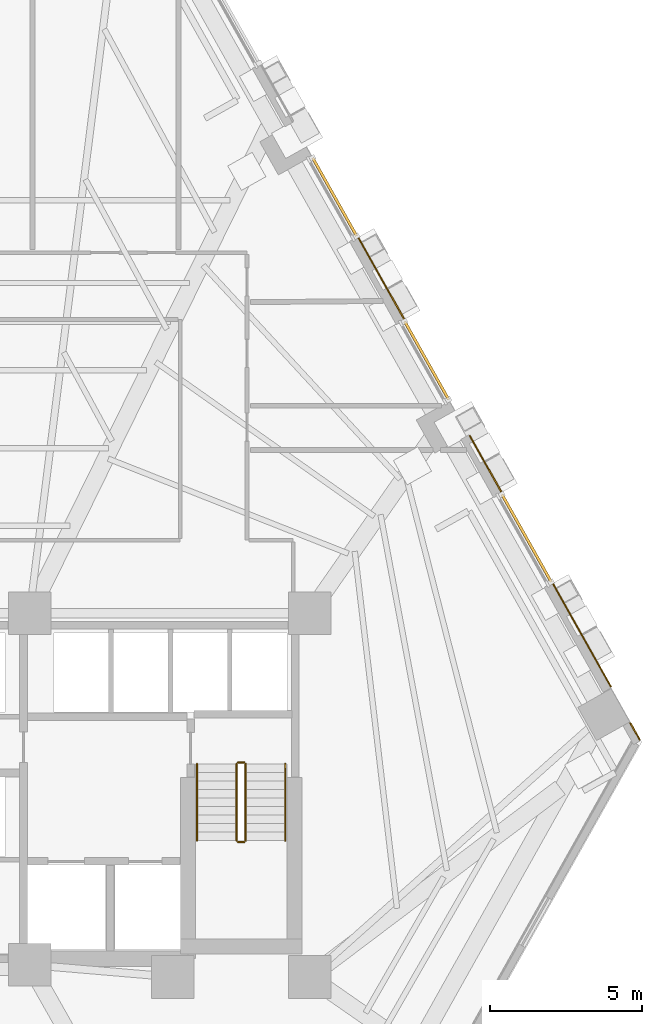
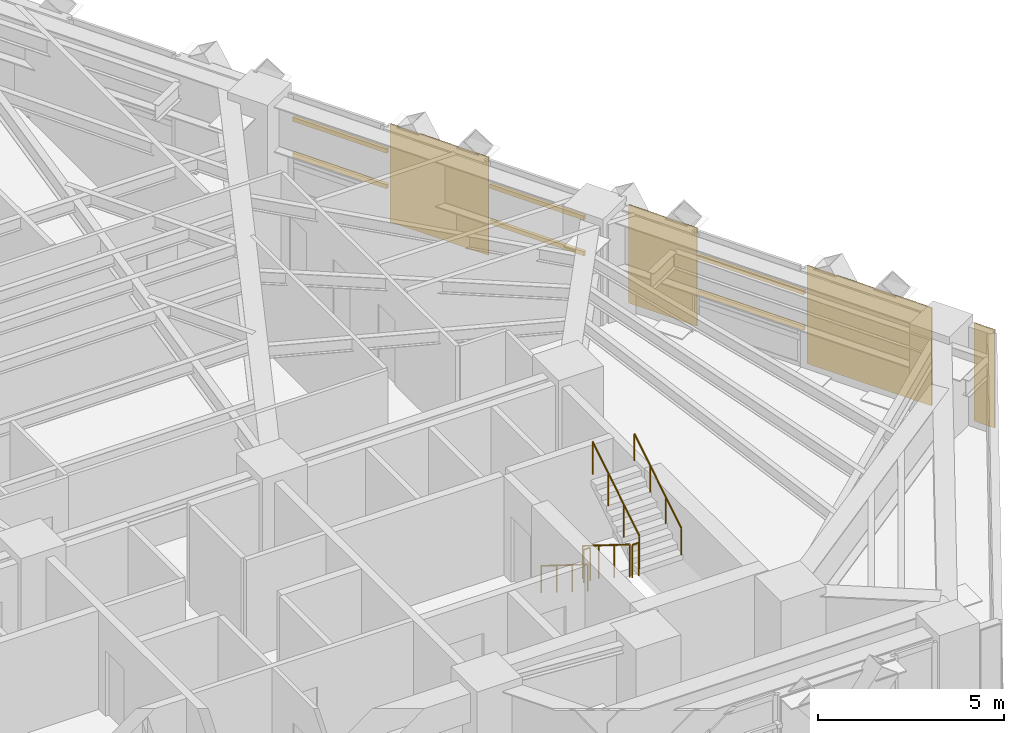
# One storey, part 13 of 14: 6 railings, 6 shading devices, 4 coverings.
"""IFC4 building model written with IfcOpenShell, lengths in metres."""

from ifc_helpers import new_model, si_unit, direction, frame, origin, origin_2d, place, context, subcontext, project, spatial, polyline, rectangle, circle, outline, extrude, material, layer, layer_set, material_profile, profile_set, type_object, element, save


model = new_model("IFC4")

# Units and contexts
model_context = context("Model", 3, precision=1e-05, world=origin(), true_north=direction((0.0, 1.0)))
body_context = subcontext(model_context, "Body", "Model", "MODEL_VIEW")
ifc_project = project(units=[si_unit("LENGTHUNIT", "METRE"), si_unit("AREAUNIT", "SQUARE_METRE"), si_unit("VOLUMEUNIT", "CUBIC_METRE"), si_unit("PLANEANGLEUNIT", "RADIAN"), si_unit("MASSUNIT", "GRAM", prefix="KILO")], contexts=[model_context])

# Site, building, storey
site_placement = place(None, origin())
site = spatial("IfcSite", under=ifc_project, at=site_placement, CompositionType="ELEMENT")
building_placement = place(site_placement, origin())
building = spatial("IfcBuilding", under=site, at=building_placement, Name="Quenlor Broadcast Tower", CompositionType="ELEMENT")
storey_placement = place(building_placement, frame((0.0, 0.0, 73.10009765625)))
storey = spatial("IfcBuildingStorey", under=building, at=storey_placement, Name="L19", CompositionType="ELEMENT", Elevation=73.10009765625)

# Shading devices
ifc_material_1 = material(Name="Architectural Terracotta Ceramic", Category="masonry")
ifc_material_profile = material_profile(ifc_material_1, rectangle(XDim=0.090087890625, YDim=0.139892578125, at=origin_2d()))
ifc_profile_set = profile_set([ifc_material_profile], Name="Architectural Terracotta Ceramic BAG90x140")
shading_device_type = type_object("IfcShadingDeviceType", Name="Copper Terracotta Baguette Solar Screen 140", PredefinedType="USERDEFINED", material=ifc_profile_set)
for number, where, z_axis, x_axis, name in (
    (1, (19.27099609375, -0.89453125, 1.169921875), (0.490289331496, -0.871559734855, 0.0), (0.871559734855, 0.490289331496, 0.0), "L19 Terracotta Baguette Screen 1"),
    (2, (19.27099609375, -0.89453125, 2.33984375), (0.490289331496, -0.871559734855, 0.0), (0.871559734855, 0.490289331496, 0.0), "L19 Terracotta Baguette Screen 2"),
):
    element("IfcShadingDevice", number, at=place(storey_placement, frame(where, z_axis=z_axis, x_axis=x_axis)), inside=storey, type_object=shading_device_type, Name=name, ObjectType="BAGUETTE", PredefinedType="USERDEFINED", context=body_context, shape_type="SweptSolid", body=[
        extrude(rectangle(XDim=0.090087890625, YDim=0.139892578125, at=origin_2d()), origin(), (0.0, 0.0, 1.0), 3.301025390625),
    ])
for number, where, z_axis, x_axis, name in (
    (3, (13.050537109375, 10.164306640625, 1.169921875), (0.490241581092, -0.871586594762, 0.0), (0.871586594762, 0.490241581092, 0.0), "L19 Terracotta Baguette Screen 1"),
    (4, (13.050537109375, 10.164306640625, 2.33984375), (0.490241581092, -0.871586594762, 0.0), (0.871586594762, 0.490241581092, 0.0), "L19 Terracotta Baguette Screen 2"),
):
    element("IfcShadingDevice", number, at=place(storey_placement, frame(where, z_axis=z_axis, x_axis=x_axis)), inside=storey, type_object=shading_device_type, Name=name, ObjectType="BAGUETTE", PredefinedType="USERDEFINED", context=body_context, shape_type="SweptSolid", body=[
        extrude(rectangle(XDim=0.090087890625, YDim=0.139892578125, at=origin_2d()), origin(), (0.0, 0.0, 1.0), 2.9482421875),
    ])
for number, where, z_axis, x_axis, name in (
    (5, (16.07421875, 4.78857421875, 1.169921875), (0.490339873784, -0.871531300744, 0.0), (0.871531300744, 0.490339873784, 0.0), "L19 Terracotta Baguette Screen 1"),
    (6, (16.07421875, 4.78857421875, 2.33984375), (0.490339873784, -0.871531300744, 0.0), (0.871531300744, 0.490339873784, 0.0), "L19 Terracotta Baguette Screen 2"),
):
    element("IfcShadingDevice", number, at=place(storey_placement, frame(where, z_axis=z_axis, x_axis=x_axis)), inside=storey, type_object=shading_device_type, Name=name, ObjectType="BAGUETTE", PredefinedType="USERDEFINED", context=body_context, shape_type="SweptSolid", body=[
        extrude(rectangle(XDim=0.090087890625, YDim=0.139892578125, at=origin_2d()), origin(), (0.0, 0.0, 1.0), 2.947998046875),
    ])

# Coverings
ifc_material_2 = material(Name="Architectural Terracotta Ceramic", Category="masonry")
ifc_layer = layer(ifc_material_2, 0.044921875)
ifc_layer_set = layer_set([ifc_layer], Name="Fluted Terracotta Rainscreen Cladding Panel")
covering_type = type_object("IfcCoveringType", Name="Fluted Terracotta Rainscreen Cladding Panel", PredefinedType="CLADDING", material=ifc_layer_set)
covering_1_placement = place(storey_placement, frame((0.0, 0.0, 0.02001953125)))
element("IfcCovering", 7, at=covering_1_placement, inside=storey, type_object=covering_type, Name="L19 Terracotta Rainscreen Cladding L19-SHD-NES1", PredefinedType="CLADDING", context=body_context, shape_type="SweptSolid", body=[
    extrude(outline(polyline([(23.464111328125, -8.412109375), (23.781982421875, -8.97705078125), (23.8212890625, -8.955078125), (23.50341796875, -8.39013671875), (23.464111328125, -8.412109375)])), origin(), (0.0, 0.0, 1.0), 3.2099609375),
])
covering_2_placement = place(storey_placement, frame((0.0, 0.0, 0.02001953125)))
element("IfcCovering", 8, at=covering_2_placement, inside=storey, type_object=covering_type, Name="L19 Terracotta Rainscreen Cladding L19-NEC-SP1", PredefinedType="CLADDING", context=body_context, shape_type="SweptSolid", body=[
    extrude(outline(polyline([(18.18798828125, 1.029052734375), (19.236083984375, -0.833984375), (19.275146484375, -0.81201171875), (18.227294921875, 1.051025390625), (18.18798828125, 1.029052734375)])), origin(), (0.0, 0.0, 1.0), 3.2099609375),
])
covering_3_placement = place(storey_placement, frame((0.0, 0.0, 0.02001953125)))
element("IfcCovering", 9, at=covering_3_placement, inside=storey, type_object=covering_type, Name="L19 Terracotta Rainscreen Cladding L19-NEC-SP2", PredefinedType="CLADDING", context=body_context, shape_type="SweptSolid", body=[
    extrude(outline(polyline([(20.9228515625, -3.8330078125), (22.83349609375, -7.2294921875), (22.872802734375, -7.20751953125), (20.962158203125, -3.81103515625), (20.9228515625, -3.8330078125)])), origin(), (0.0, 0.0, 1.0), 3.2099609375),
])
covering_4_placement = place(storey_placement, frame((0.0, 0.0, 0.02001953125)))
element("IfcCovering", 10, at=covering_4_placement, inside=storey, type_object=covering_type, Name="L19 Terracotta Rainscreen Cladding L19-NE-SP1", PredefinedType="CLADDING", context=body_context, shape_type="SweptSolid", body=[
    extrude(outline(polyline([(14.529296875, 7.533203125), (16.039306640625, 4.84912109375), (16.078369140625, 4.87109375), (14.568603515625, 7.555419921875), (14.529296875, 7.533203125)])), origin(), (0.0, 0.0, 1.0), 3.2099609375),
])

# Railings
ifc_material_3 = material(Name="Anodised Aluminium", Category="aluminium")
railing_type_1 = type_object("IfcRailingType", Name="Stainless Aluminium Wall Handrail 900", PredefinedType="HANDRAIL", material=ifc_material_3)
railing_1_placement = place(storey_placement, frame((9.25, -9.75, 0.1748046875)))
element("IfcRailing", 11, at=railing_1_placement, inside=storey, type_object=railing_type_1, Name="L19 ST-2 stair handrail 1", PredefinedType="HANDRAIL", context=body_context, shape_type="SweptSolid", body=[
    extrude(circle(Radius=0.02392578125, at=origin_2d()), frame((0.0, 0.0, 0.8759765625), z_axis=(0.0, -0.847970611238, 0.530043245855), x_axis=(1.0, 0.0, 0.0)), (0.0, 0.0, 1.0), 2.971923828125),
    extrude(circle(Radius=0.02099609375, at=origin_2d()), origin(), (0.0, 0.0, 1.0), 0.851806640625),
    extrude(circle(Radius=0.02099609375, at=origin_2d()), frame((0.0, -0.840087890625, 0.525146484375)), (0.0, 0.0, 1.0), 0.851806640625),
    extrude(circle(Radius=0.02099609375, at=origin_2d()), frame((0.0, -1.679931640625, 1.050048828125)), (0.0, 0.0, 1.0), 0.851806640625),
    extrude(circle(Radius=0.02099609375, at=origin_2d()), frame((0.0, -2.52001953125, 1.5751953125)), (0.0, 0.0, 1.0), 0.851806640625),
])
railing_2_placement = place(storey_placement, frame((12.14990234375, -12.27001953125, 1.9248046875)))
element("IfcRailing", 12, at=railing_2_placement, inside=storey, type_object=railing_type_1, Name="L19 ST-2 stair handrail 2", PredefinedType="HANDRAIL", context=body_context, shape_type="SweptSolid", body=[
    extrude(circle(Radius=0.02392578125, at=origin_2d()), frame((0.0, 0.0, 0.8759765625), z_axis=(0.0, 0.847970611238, 0.530043245855), x_axis=(-1.0, 0.0, 0.0)), (0.0, 0.0, 1.0), 2.971923828125),
    extrude(circle(Radius=0.02099609375, at=origin_2d()), origin(), (0.0, 0.0, 1.0), 0.851806640625),
    extrude(circle(Radius=0.02099609375, at=origin_2d()), frame((0.0, 0.840087890625, 0.525146484375)), (0.0, 0.0, 1.0), 0.851806640625),
    extrude(circle(Radius=0.02099609375, at=origin_2d()), frame((0.0, 1.679931640625, 1.050048828125)), (0.0, 0.0, 1.0), 0.851806640625),
    extrude(circle(Radius=0.02099609375, at=origin_2d()), frame((0.0, 2.52001953125, 1.5751953125)), (0.0, 0.0, 1.0), 0.851806640625),
])
ifc_material_4 = material(Name="Steel S355", Category="steel")
railing_type_2 = type_object("IfcRailingType", Name="Tubular Steel S355 Stair Guardrail 1100", PredefinedType="BALUSTRADE", material=ifc_material_4)
railing_3_placement = place(storey_placement, frame((10.550048828125, -9.75, 0.1748046875)))
element("IfcRailing", 13, at=railing_3_placement, inside=storey, type_object=railing_type_2, Name="L19 ST-2 stair guard 1", PredefinedType="BALUSTRADE", context=body_context, shape_type="SweptSolid", body=[
    extrude(circle(Radius=0.02392578125, at=origin_2d()), frame((0.0, 0.0, 1.076171875), z_axis=(0.0, -0.847970611238, 0.530043245855), x_axis=(1.0, 0.0, 0.0)), (0.0, 0.0, 1.0), 2.971923828125),
    extrude(circle(Radius=0.02099609375, at=origin_2d()), origin(), (0.0, 0.0, 1.0), 1.052001953125),
    extrude(circle(Radius=0.02099609375, at=origin_2d()), frame((0.0, -0.840087890625, 0.525146484375)), (0.0, 0.0, 1.0), 1.052001953125),
    extrude(circle(Radius=0.02099609375, at=origin_2d()), frame((0.0, -1.679931640625, 1.050048828125)), (0.0, 0.0, 1.0), 1.052001953125),
    extrude(circle(Radius=0.02099609375, at=origin_2d()), frame((0.0, -2.52001953125, 1.5751953125)), (0.0, 0.0, 1.0), 1.052001953125),
])
railing_4_placement = place(storey_placement, frame((10.60009765625, -12.320068359375, 1.75)))
element("IfcRailing", 14, at=railing_4_placement, inside=storey, type_object=railing_type_2, Name="L19 ST-2 stair guard 2", PredefinedType="BALUSTRADE", context=body_context, shape_type="SweptSolid", body=[
    extrude(circle(Radius=0.02392578125, at=origin_2d()), frame((0.0, 0.0, 1.076171875), z_axis=(1.0, 0.0, 0.0), x_axis=(0.0, 1.0, 0.0)), (0.0, 0.0, 1.0), 0.199951171875),
    extrude(circle(Radius=0.02099609375, at=origin_2d()), origin(), (0.0, 0.0, 1.0), 1.052001953125),
    extrude(circle(Radius=0.02099609375, at=origin_2d()), frame((0.199951171875, 0.0, 0.0)), (0.0, 0.0, 1.0), 1.052001953125),
])
railing_5_placement = place(storey_placement, frame((10.85009765625, -12.27001953125, 1.9248046875)))
element("IfcRailing", 15, at=railing_5_placement, inside=storey, type_object=railing_type_2, Name="L19 ST-2 stair guard 3", PredefinedType="BALUSTRADE", context=body_context, shape_type="SweptSolid", body=[
    extrude(circle(Radius=0.02392578125, at=origin_2d()), frame((0.0, 0.0, 1.076171875), z_axis=(0.0, 0.847970611238, 0.530043245855), x_axis=(-1.0, 0.0, 0.0)), (0.0, 0.0, 1.0), 2.971923828125),
    extrude(circle(Radius=0.02099609375, at=origin_2d()), origin(), (0.0, 0.0, 1.0), 1.052001953125),
    extrude(circle(Radius=0.02099609375, at=origin_2d()), frame((0.0, 0.840087890625, 0.525146484375)), (0.0, 0.0, 1.0), 1.052001953125),
    extrude(circle(Radius=0.02099609375, at=origin_2d()), frame((0.0, 1.679931640625, 1.050048828125)), (0.0, 0.0, 1.0), 1.052001953125),
    extrude(circle(Radius=0.02099609375, at=origin_2d()), frame((0.0, 2.52001953125, 1.5751953125)), (0.0, 0.0, 1.0), 1.052001953125),
])
railing_6_placement = place(storey_placement, frame((10.60009765625, -9.699951171875, 0.0)))
element("IfcRailing", 16, at=railing_6_placement, inside=storey, type_object=railing_type_2, Name="L19 ST-2 stair guard 4", PredefinedType="BALUSTRADE", context=body_context, shape_type="SweptSolid", body=[
    extrude(circle(Radius=0.02392578125, at=origin_2d()), frame((0.0, 0.0, 1.076171875), z_axis=(1.0, 0.0, 0.0), x_axis=(0.0, 1.0, 0.0)), (0.0, 0.0, 1.0), 0.199951171875),
    extrude(circle(Radius=0.02099609375, at=origin_2d()), origin(), (0.0, 0.0, 1.0), 1.052001953125),
    extrude(circle(Radius=0.02099609375, at=origin_2d()), frame((0.199951171875, 0.0, 0.0)), (0.0, 0.0, 1.0), 1.052001953125),
])

save(model, "model.ifc")
